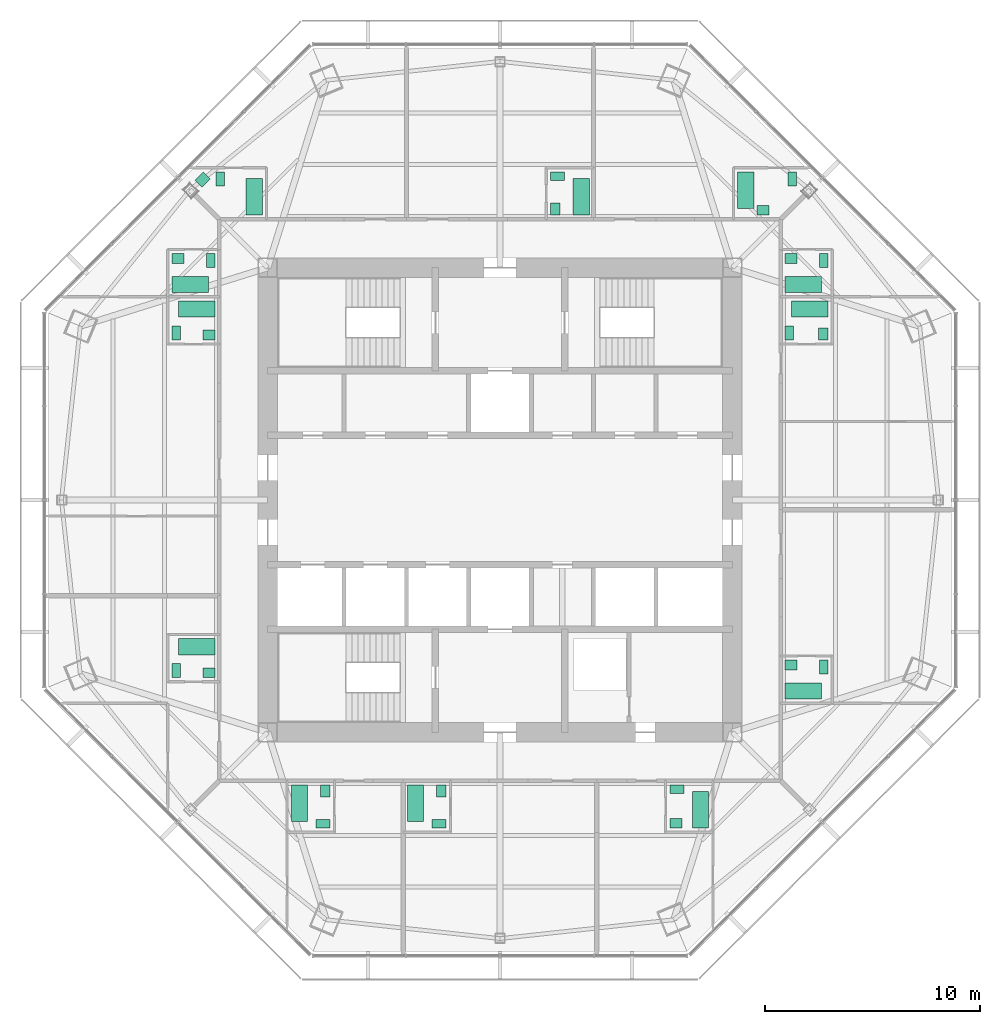
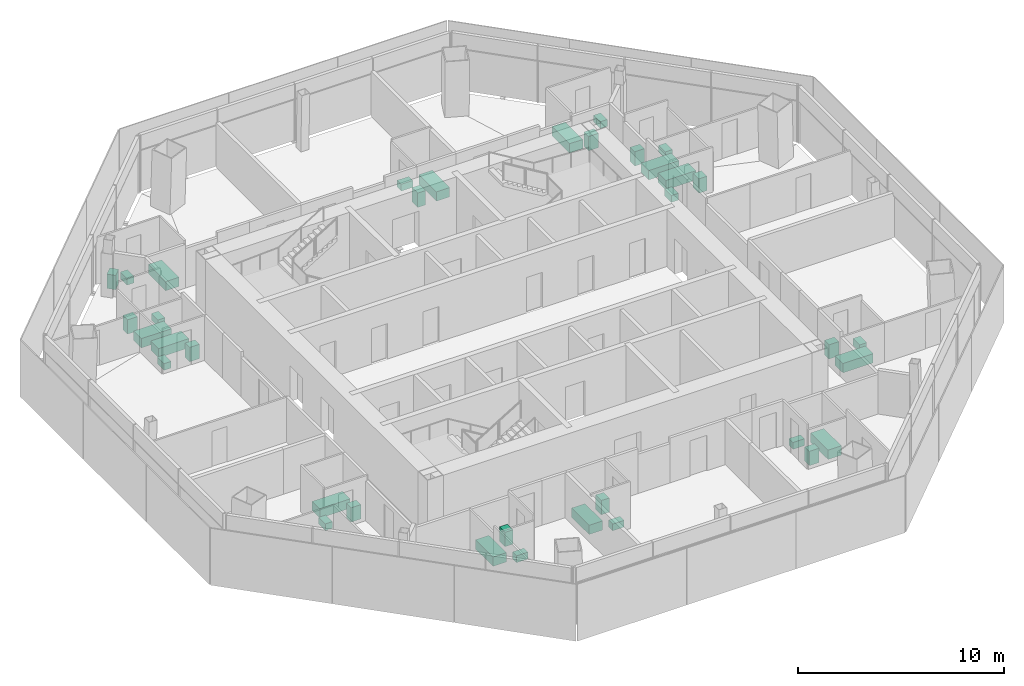
# One storey, part 14 of 14: 36 sanitary terminals.
"""IFC4 building model written with IfcOpenShell, lengths in metres."""

from ifc_helpers import new_model, si_unit, direction, frame, origin, origin_2d, place, context, subcontext, project, spatial, rectangle, extrude, material, type_object, element, save


model = new_model("IFC4")

# Units and contexts
model_context = context("Model", 3, precision=1e-05, world=origin(), true_north=direction((0.0, 1.0)))
body_context = subcontext(model_context, "Body", "Model", "MODEL_VIEW")
ifc_project = project(units=[si_unit("LENGTHUNIT", "METRE"), si_unit("AREAUNIT", "SQUARE_METRE"), si_unit("VOLUMEUNIT", "CUBIC_METRE"), si_unit("PLANEANGLEUNIT", "RADIAN"), si_unit("MASSUNIT", "GRAM", prefix="KILO")], contexts=[model_context])

# Site, building, storey
site_placement = place(None, origin())
site = spatial("IfcSite", under=ifc_project, at=site_placement, CompositionType="ELEMENT")
building_placement = place(site_placement, origin())
building = spatial("IfcBuilding", under=site, at=building_placement, Name="Mashrafa Tower", CompositionType="ELEMENT")
storey_placement = place(building_placement, frame((0.0, 0.0, 241.39990234375)))
storey = spatial("IfcBuildingStorey", under=building, at=storey_placement, Name="L57", CompositionType="ELEMENT", Elevation=241.39990234375)

# Sanitary terminals
ifc_material_1 = material(Name="Enamelled steel", Category="steel")
sanitary_terminal_type_1 = type_object("IfcSanitaryTerminalType", Name="Bath 1700 x 750", PredefinedType="BATH", material=ifc_material_1)
for number, where, z_axis, x_axis, name in (
    (1, (14.10009765625, -8.875, 0.0), (0.0, 0.0, 1.0), (1.0, 0.0, 0.0), "Bath Apartment 5701 Bathroom"),
    (2, (14.10009765625, 10.02490234375, 0.0), (0.0, 0.0, 1.0), (1.0, 0.0, 0.0), "Bath Apartment 5702 En-suite Bathroom"),
    (3, (14.39990234375, 8.875, 0.0), (0.0, 0.0, 1.0), (-1.0, 0.0, 0.0), "Bath Apartment 5702 Bathroom"),
    (4, (11.425048828125, 14.39990234375, 0.0), (0.0, 0.0, 1.0), (0.0, -1.0, 0.0), "Bath Apartment 5703 Bathroom"),
    (5, (3.77490234375, 14.10009765625, 0.0), (0.0, 0.0, 1.0), (0.0, 1.0, 0.0), "Bath Apartment 5704 Bathroom"),
    (6, (-11.425048828125, 14.10009765625, 0.0), (0.0, 0.0, 1.0), (0.0, 1.0, 0.0), "Bath Apartment 5705 Bathroom"),
    (7, (-14.39990234375, 10.02490234375, 0.0), (0.0, 0.0, 1.0), (1.0, 0.0, 0.0), "Bath Apartment 5706 En-suite Bathroom"),
    (8, (-14.10009765625, 8.875, 0.0), (0.0, 0.0, 1.0), (-1.0, 0.0, 0.0), "Bath Apartment 5706 Bathroom"),
    (9, (-14.10009765625, -6.824951171875, 0.0), (0.0, 0.0, 1.0), (-1.0, 0.0, 0.0), "Bath Apartment 5707 Bathroom"),
    (10, (-9.324951171875, -14.10009765625, 0.0), (0.0, 0.0, 1.0), (0.0, -1.0, 0.0), "Bath Apartment 5708 Bathroom"),
    (11, (-3.925048828125, -14.10009765625, 0.0), (0.0, 0.0, 1.0), (0.0, -1.0, 0.0), "Bath Apartment 5709 Bathroom"),
    (12, (9.324951171875, -14.39990234375, 0.0), (0.0, 0.0, 1.0), (0.0, 1.0, 0.0), "Bath Apartment 5710 Bathroom"),
):
    element("IfcSanitaryTerminal", number, at=place(storey_placement, frame(where, z_axis=z_axis, x_axis=x_axis)), inside=storey, type_object=sanitary_terminal_type_1, Name=name, PredefinedType="BATH", context=body_context, shape_type="SweptSolid", body=[
        extrude(rectangle(XDim=1.699951171875, YDim=0.75, at=origin_2d()), origin(), (0.0, 0.0, 1.0), 0.550048828125),
    ])
ifc_material_2 = material(Name="Vitreous china")
sanitary_terminal_type_2 = type_object("IfcSanitaryTerminalType", Name="Toilet pan 400 x 650", PredefinedType="TOILETPAN", material=ifc_material_2)
for number, where, z_axis, x_axis, name in (
    (13, (15.050048828125, -7.77490234375, 0.000244140625), (0.0, 0.0, 1.0), (-1.0, 0.0, 0.0), "Toilet pan Apartment 5701 Bathroom"),
    (14, (15.050048828125, 11.125, 0.000244140625), (0.0, 0.0, 1.0), (-1.0, 0.0, 0.0), "Toilet pan Apartment 5702 En-suite Bathroom"),
    (15, (13.449951171875, 7.77490234375, 0.000244140625), (0.0, 0.0, 1.0), (1.0, 0.0, 0.0), "Toilet pan Apartment 5702 Bathroom"),
    (16, (13.592041015625, 14.925048828125, 0.000244140625), (0.0, 0.0, 1.0), (-1.0, 0.0, 0.0), "Toilet pan Apartment 5703 Bathroom"),
    (17, (2.675048828125, 15.050048828125, 0.000244140625), (0.0, 0.0, 1.0), (0.0, -1.0, 0.0), "Toilet pan Apartment 5704 Bathroom"),
    (18, (-13.0, 14.925048828125, 0.000244140625), (0.0, 0.0, 1.0), (-1.0, 0.0, 0.0), "Toilet pan Apartment 5705 Bathroom"),
    (19, (-13.449951171875, 11.125, 0.000244140625), (0.0, 0.0, 1.0), (-1.0, 0.0, 0.0), "Toilet pan Apartment 5706 En-suite Bathroom"),
    (20, (-15.050048828125, 7.77490234375, 0.000244140625), (0.0, 0.0, 1.0), (1.0, 0.0, 0.0), "Toilet pan Apartment 5706 Bathroom"),
    (21, (-15.050048828125, -7.925048828125, 0.000244140625), (0.0, 0.0, 1.0), (1.0, 0.0, 0.0), "Toilet pan Apartment 5707 Bathroom"),
    (22, (-8.22509765625, -15.050048828125, 0.000244140625), (0.0, 0.0, 1.0), (0.0, 1.0, 0.0), "Toilet pan Apartment 5708 Bathroom"),
    (23, (-2.824951171875, -15.050048828125, 0.000244140625), (0.0, 0.0, 1.0), (0.0, 1.0, 0.0), "Toilet pan Apartment 5709 Bathroom"),
    (24, (8.22509765625, -13.449951171875, 0.000244140625), (0.0, 0.0, 1.0), (0.0, -1.0, 0.0), "Toilet pan Apartment 5710 Bathroom"),
):
    element("IfcSanitaryTerminal", number, at=place(storey_placement, frame(where, z_axis=z_axis, x_axis=x_axis)), inside=storey, type_object=sanitary_terminal_type_2, Name=name, PredefinedType="TOILETPAN", context=body_context, shape_type="SweptSolid", body=[
        extrude(rectangle(XDim=0.39990234375, YDim=0.64990234375, at=origin_2d()), origin(), (0.0, 0.0, 1.0), 0.39990234375),
    ])
ifc_material_3 = material(Name="Vitreous china")
sanitary_terminal_type_3 = type_object("IfcSanitaryTerminalType", Name="Wash basin 550 x 450", PredefinedType="WASHHANDBASIN", material=ifc_material_3)
for number, where, z_axis, x_axis, name in (
    (25, (13.52490234375, -7.675048828125, 0.0), (0.0, 0.0, 1.0), (-1.0, 0.0, 0.0), "Wash basin Apartment 5701 Bathroom"),
    (26, (13.52490234375, 11.22509765625, 0.0), (0.0, 0.0, 1.0), (-1.0, 0.0, 0.0), "Wash basin Apartment 5702 En-suite Bathroom"),
    (27, (15.02490234375, 7.72509765625, 0.0), (0.0, 0.0, 1.0), (0.0, 1.0, 0.0), "Wash basin Apartment 5702 Bathroom"),
    (28, (12.22509765625, 13.47509765625, 0.0), (0.0, 0.0, 1.0), (1.0, 0.0, 0.0), "Wash basin Apartment 5703 Bathroom"),
    (29, (2.574951171875, 13.52490234375, 0.0), (0.0, 0.0, 1.0), (0.0, -1.0, 0.0), "Wash basin Apartment 5704 Bathroom"),
    (30, (-13.827392578125, 14.896484375, 0.0), (0.0, 0.0, 1.0), (-0.707106781187, -0.707106781187, 0.0), "Wash basin Apartment 5705 Bathroom"),
    (31, (-14.97509765625, 11.22509765625, 0.0), (0.0, 0.0, 1.0), (-1.0, 0.0, 0.0), "Wash basin Apartment 5706 En-suite Bathroom"),
    (32, (-13.52490234375, 7.675048828125, 0.0), (0.0, 0.0, 1.0), (1.0, 0.0, 0.0), "Wash basin Apartment 5706 Bathroom"),
    (33, (-13.52490234375, -8.02490234375, 0.0), (0.0, 0.0, 1.0), (1.0, 0.0, 0.0), "Wash basin Apartment 5707 Bathroom"),
    (34, (-8.125, -13.52490234375, 0.0), (0.0, 0.0, 1.0), (0.0, 1.0, 0.0), "Wash basin Apartment 5708 Bathroom"),
    (35, (-2.72509765625, -13.52490234375, 0.0), (0.0, 0.0, 1.0), (0.0, 1.0, 0.0), "Wash basin Apartment 5709 Bathroom"),
    (36, (8.175048828125, -15.02490234375, 0.0), (0.0, 0.0, 1.0), (1.0, 0.0, 0.0), "Wash basin Apartment 5710 Bathroom"),
):
    element("IfcSanitaryTerminal", number, at=place(storey_placement, frame(where, z_axis=z_axis, x_axis=x_axis)), inside=storey, type_object=sanitary_terminal_type_3, Name=name, PredefinedType="WASHHANDBASIN", context=body_context, shape_type="SweptSolid", body=[
        extrude(rectangle(XDim=0.550048828125, YDim=0.449951171875, at=origin_2d()), origin(), (0.0, 0.0, 1.0), 0.85009765625),
    ])

save(model, "model.ifc")
